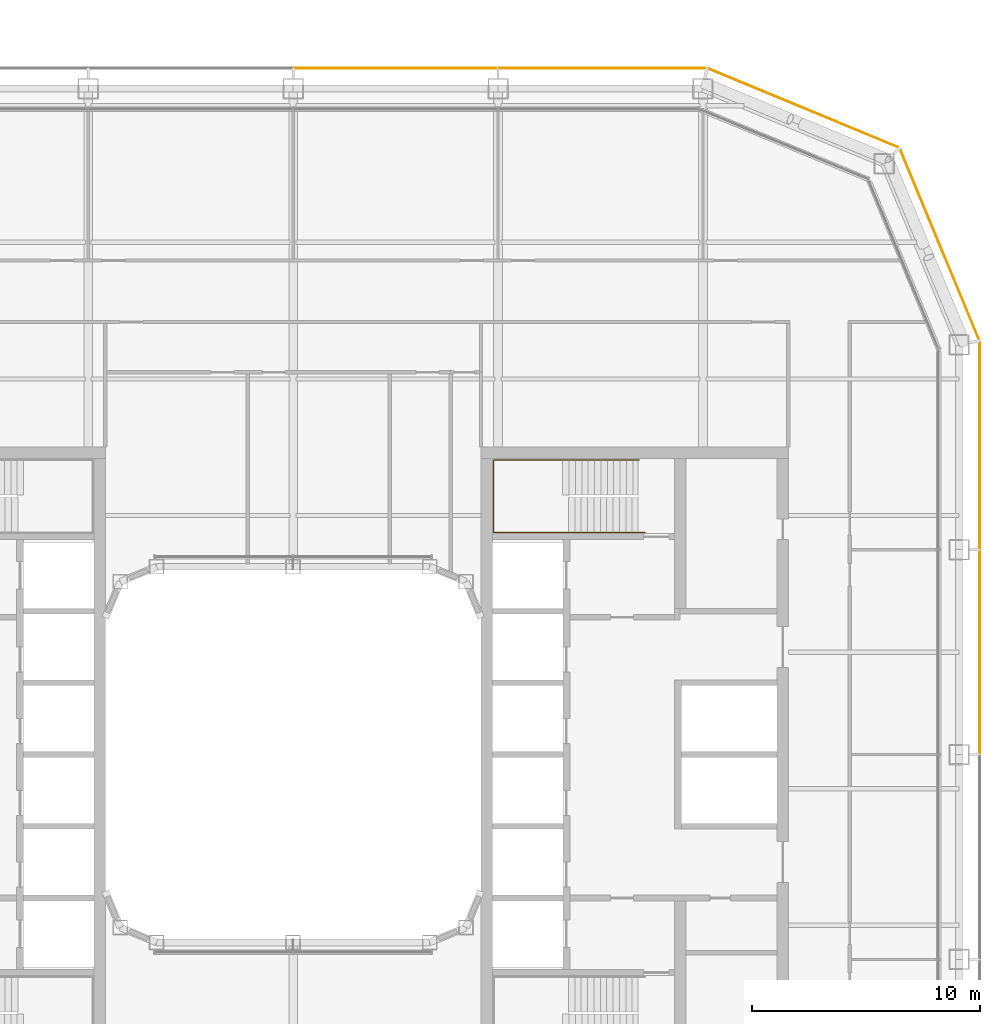
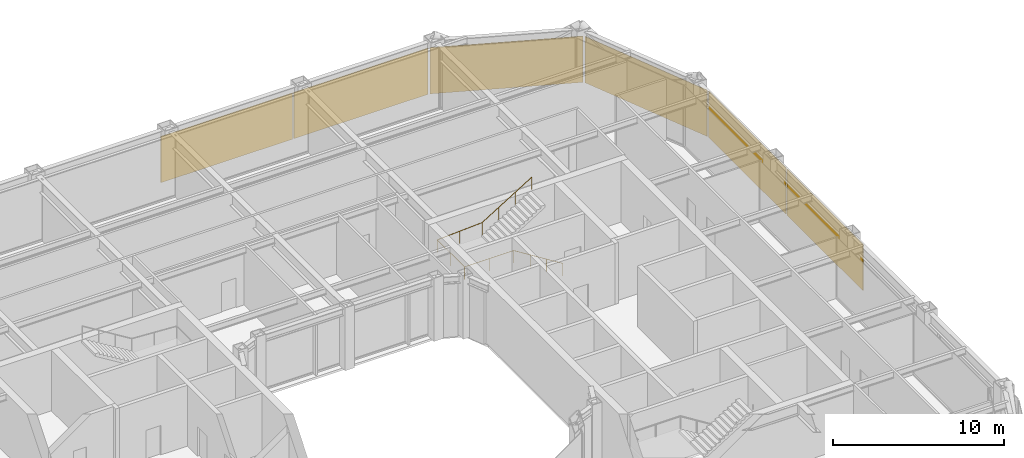
# One storey, part 22 of 23: 6 coverings, 1 railing.
"""IFC4 building model written with IfcOpenShell, lengths in metres."""

from ifc_helpers import new_model, si_unit, direction, frame, origin, origin_2d, place, context, subcontext, project, spatial, rectangle, circle, extrude, material, layer, layer_set, type_object, element, save


model = new_model("IFC4")

# Units and contexts
model_context = context("Model", 3, precision=1e-05, world=origin(), true_north=direction((0.0, 1.0)))
body_context = subcontext(model_context, "Body", "Model", "MODEL_VIEW")
ifc_project = project(units=[si_unit("LENGTHUNIT", "METRE"), si_unit("AREAUNIT", "SQUARE_METRE"), si_unit("VOLUMEUNIT", "CUBIC_METRE"), si_unit("PLANEANGLEUNIT", "RADIAN"), si_unit("MASSUNIT", "GRAM", prefix="KILO")], contexts=[model_context])

# Site, building, storey
site_placement = place(None, origin())
site = spatial("IfcSite", under=ifc_project, at=site_placement, CompositionType="ELEMENT")
building_placement = place(site_placement, origin())
building = spatial("IfcBuilding", under=site, at=building_placement, Name="Siwar Civic Tower", CompositionType="ELEMENT")
storey_placement = place(building_placement, frame((0.0, 0.0, 172.199951171875)))
storey = spatial("IfcBuildingStorey", under=building, at=storey_placement, Name="L37", CompositionType="ELEMENT", Elevation=172.199951171875)

# Railing
ifc_material_1 = material(Name="Stainless steel", Category="steel")
railing_type = type_object("IfcRailingType", Name="CORE-STAIR-HANDRAIL", PredefinedType="HANDRAIL", material=ifc_material_1)
railing_placement = place(storey_placement, frame((15.449951171875, 9.758056640625, 0.173095703125)))
element("IfcRailing", 1, at=railing_placement, inside=storey, type_object=railing_type, Name="Stair handrail ST3", PredefinedType="HANDRAIL", context=body_context, shape_type="SweptSolid", body=[
    extrude(circle(Radius=0.02001953125, at=origin_2d()), frame((0.0, 0.0, 0.8798828125), z_axis=(-0.847063342986, 0.0, 0.531491950051), x_axis=(0.0, -1.0, 0.0)), (0.0, 0.0, 1.0), 3.90771484375),
    extrude(circle(Radius=0.02001953125, at=origin_2d()), frame((-3.31005859375, 0.0, 2.956787109375), z_axis=(-1.0, 0.0, 0.0), x_axis=(0.0, -1.0, 0.0)), (0.0, 0.0, 1.0), 3.331787109375),
    extrude(circle(Radius=0.02001953125, at=origin_2d()), frame((-6.641845703125, 0.0, 2.956787109375), z_axis=(0.0, 1.0, 0.0), x_axis=(-1.0, 0.0, 0.0)), (0.0, 0.0, 1.0), 3.183837890625),
    extrude(circle(Radius=0.02001953125, at=origin_2d()), frame((-6.641845703125, 3.183837890625, 2.956787109375), z_axis=(0.99837434197, 0.0, 0.056997134106), x_axis=(0.0, 1.0, 0.0)), (0.0, 0.0, 1.0), 3.036865234375),
    extrude(circle(Radius=0.02001953125, at=origin_2d()), frame((-3.60986328125, 3.183837890625, 3.1298828125), z_axis=(0.850606129759, 0.0, 0.525803396734), x_axis=(0.0, 1.0, 0.0)), (0.0, 0.0, 1.0), 3.949951171875),
    extrude(circle(Radius=0.02001953125, at=origin_2d()), origin(), (0.0, 0.0, 1.0), 0.85986328125),
    extrude(circle(Radius=0.02001953125, at=origin_2d()), frame((-1.103271484375, 0.0, 0.6923828125)), (0.0, 0.0, 1.0), 0.85986328125),
    extrude(circle(Radius=0.02001953125, at=origin_2d()), frame((-2.206787109375, 0.0, 1.384521484375)), (0.0, 0.0, 1.0), 0.85986328125),
    extrude(circle(Radius=0.02001953125, at=origin_2d()), frame((-3.31005859375, 0.0, 2.076904296875)), (0.0, 0.0, 1.0), 0.85986328125),
    extrude(circle(Radius=0.02001953125, at=origin_2d()), frame((-4.97607421875, 0.0, 2.076904296875)), (0.0, 0.0, 1.0), 0.85986328125),
    extrude(circle(Radius=0.02001953125, at=origin_2d()), frame((-6.641845703125, 0.0, 2.076904296875)), (0.0, 0.0, 1.0), 0.85986328125),
    extrude(circle(Radius=0.02001953125, at=origin_2d()), frame((-6.641845703125, 1.591796875, 2.076904296875)), (0.0, 0.0, 1.0), 0.85986328125),
    extrude(circle(Radius=0.02001953125, at=origin_2d()), frame((-6.641845703125, 3.183837890625, 2.076904296875)), (0.0, 0.0, 1.0), 0.85986328125),
    extrude(circle(Radius=0.02001953125, at=origin_2d()), frame((-5.1259765625, 3.183837890625, 2.16357421875)), (0.0, 0.0, 1.0), 0.85986328125),
    extrude(circle(Radius=0.02001953125, at=origin_2d()), frame((-3.60986328125, 3.183837890625, 2.25)), (0.0, 0.0, 1.0), 0.85986328125),
    extrude(circle(Radius=0.02001953125, at=origin_2d()), frame((-2.489990234375, 3.183837890625, 2.9423828125)), (0.0, 0.0, 1.0), 0.85986328125),
    extrude(circle(Radius=0.02001953125, at=origin_2d()), frame((-1.369873046875, 3.183837890625, 3.634521484375)), (0.0, 0.0, 1.0), 0.85986328125),
    extrude(circle(Radius=0.02001953125, at=origin_2d()), frame((-0.25, 3.183837890625, 4.326904296875)), (0.0, 0.0, 1.0), 0.85986328125),
])

# Coverings
ifc_material_2 = material(Name="Perforated aluminium cassette, pale metal", Category="aluminium")
ifc_layer = layer(ifc_material_2, 0.0400390625)
ifc_layer_set = layer_set([ifc_layer], Name="Perforated aluminium cassette, pale metal")
covering_type = type_object("IfcCoveringType", Name="ENV-OUTER SKIN OS-1", PredefinedType="CLADDING", material=ifc_layer_set)
covering_1_placement = place(storey_placement, frame((30.14990234375, 4.5, -0.14990234375), z_axis=(0.0, 0.0, 1.0), x_axis=(0.0, 1.0, 0.0)))
element("IfcCovering", 2, at=covering_1_placement, inside=storey, type_object=covering_type, Name="OUTER SKIN OS-1 E 3", PredefinedType="CLADDING", context=body_context, shape_type="SweptSolid", body=[
    extrude(rectangle(XDim=8.89990234375, YDim=0.0400390625, at=origin_2d()), origin(), (0.0, 0.0, 1.0), 3.300048828125),
])
covering_2_placement = place(storey_placement, frame((30.14990234375, 13.57958984375, -0.14990234375), z_axis=(0.0, 0.0, 1.0), x_axis=(0.0, 1.0, 0.0)))
element("IfcCovering", 3, at=covering_2_placement, inside=storey, type_object=covering_type, Name="OUTER SKIN OS-1 E 4", PredefinedType="CLADDING", context=body_context, shape_type="SweptSolid", body=[
    extrude(rectangle(XDim=9.05908203125, YDim=0.0400390625, at=origin_2d()), origin(), (0.0, 0.0, 1.0), 3.300048828125),
])
for number, where, z_axis, x_axis, name in (
    (4, (28.39697265625, 22.411376953125, -0.14990234375), (0.0, 0.0, 1.0), (-0.382683432365, 0.923879532511, 0.0), "OUTER SKIN OS-1 NE1 1"),
    (5, (22.411376953125, 28.39697265625, -0.14990234375), (0.0, 0.0, 1.0), (-0.923879532511, 0.382683432365, 0.0), "OUTER SKIN OS-1 NE2 1"),
):
    element("IfcCovering", number, at=place(storey_placement, frame(where, z_axis=z_axis, x_axis=x_axis)), inside=storey, type_object=covering_type, Name=name, PredefinedType="CLADDING", context=body_context, shape_type="SweptSolid", body=[
        extrude(rectangle(XDim=9.022216796875, YDim=0.0400390625, at=origin_2d()), origin(), (0.0, 0.0, 1.0), 3.300048828125),
    ])
covering_3_placement = place(storey_placement, frame((13.57958984375, 30.14990234375, -0.14990234375), z_axis=(0.0, 0.0, 1.0), x_axis=(-1.0, 0.0, 0.0)))
element("IfcCovering", 6, at=covering_3_placement, inside=storey, type_object=covering_type, Name="OUTER SKIN OS-1 N 1", PredefinedType="CLADDING", context=body_context, shape_type="SweptSolid", body=[
    extrude(rectangle(XDim=9.05908203125, YDim=0.0400390625, at=origin_2d()), origin(), (0.0, 0.0, 1.0), 3.300048828125),
])
covering_4_placement = place(storey_placement, frame((4.5, 30.14990234375, -0.14990234375), z_axis=(0.0, 0.0, 1.0), x_axis=(-1.0, 0.0, 0.0)))
element("IfcCovering", 7, at=covering_4_placement, inside=storey, type_object=covering_type, Name="OUTER SKIN OS-1 N 2", PredefinedType="CLADDING", context=body_context, shape_type="SweptSolid", body=[
    extrude(rectangle(XDim=8.89990234375, YDim=0.0400390625, at=origin_2d()), origin(), (0.0, 0.0, 1.0), 3.300048828125),
])

save(model, "model.ifc")
